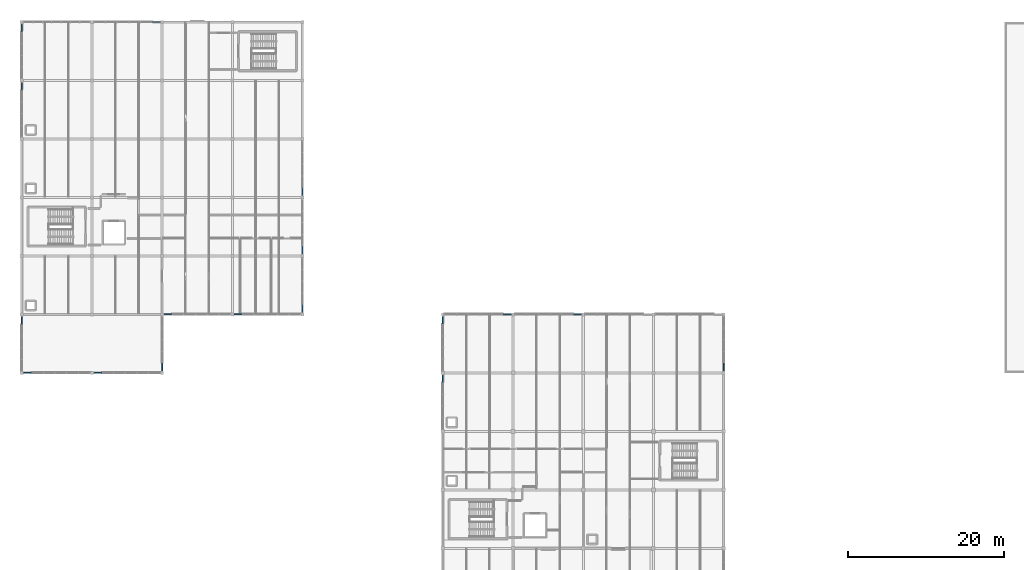
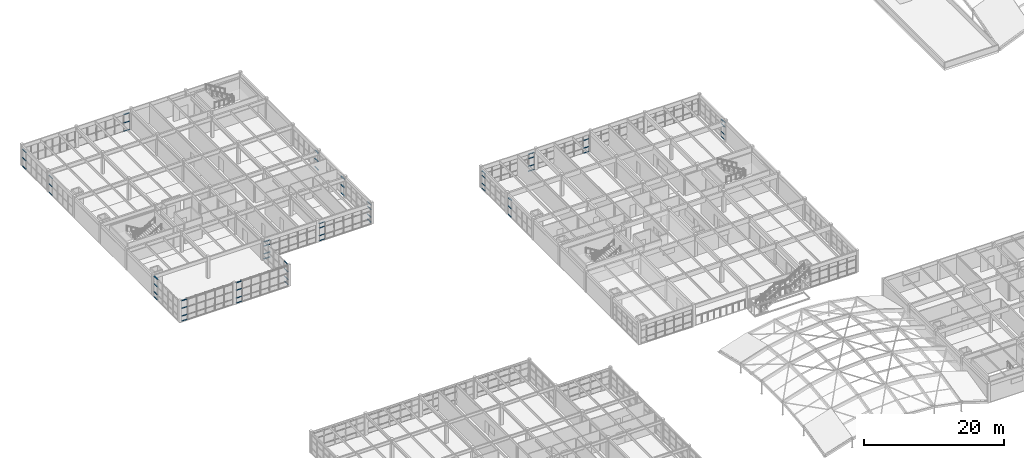
# One storey, part 48 of 81: 61 members, 17 elements without a shape of their own.
"""IFC4 building model written with IfcOpenShell, lengths in metres."""

from ifc_helpers import new_model, si_unit, direction, frame, origin, origin_2d, place, context, subcontext, project, spatial, rectangle, extrude, material, layer, layer_set, material_profile, profile_set, type_object, element, aggregate, save


model = new_model("IFC4")

# Units and contexts
model_context = context("Model", 3, precision=1e-05, world=origin(), true_north=direction((0.0, 1.0)))
body_context = subcontext(model_context, "Body", "Model", "MODEL_VIEW")
ifc_project = project(units=[si_unit("LENGTHUNIT", "METRE"), si_unit("AREAUNIT", "SQUARE_METRE"), si_unit("VOLUMEUNIT", "CUBIC_METRE"), si_unit("PLANEANGLEUNIT", "RADIAN"), si_unit("MASSUNIT", "GRAM", prefix="KILO")], contexts=[model_context])

# Site, building, storey
site_placement = place(None, origin())
site = spatial("IfcSite", under=ifc_project, at=site_placement, CompositionType="ELEMENT")
building_placement = place(site_placement, origin())
building = spatial("IfcBuilding", under=site, at=building_placement, Name="Marnridge Secondary College", CompositionType="ELEMENT")
storey_placement = place(building_placement, frame((0.0, 0.0, 8.5)))
storey = spatial("IfcBuildingStorey", under=building, at=storey_placement, Name="L02", CompositionType="ELEMENT", Elevation=8.5)

# Curtain wall, members
ifc_material_1 = material(Name="Thermally broken aluminium and low-E glazing", Category="aluminium")
ifc_layer = layer(ifc_material_1, 0.159912109375)
ifc_layer_set = layer_set([ifc_layer], Name="CW-MOD-1500")
curtain_wall_type = type_object("IfcCurtainWallType", Name="CW-MOD-1500", PredefinedType="NOTDEFINED", material=ifc_layer_set)
curtain_wall_1_placement = place(storey_placement, origin())
curtain_wall_1 = element("IfcCurtainWall", 1, at=curtain_wall_1_placement, inside=storey, type_object=curtain_wall_type, Name="Unitised curtain wall CW-L02-073", PredefinedType="NOTDEFINED")
ifc_material_2 = material(Name="Anodised aluminium 6063-T6", Category="aluminium")
ifc_material_profile = material_profile(ifc_material_2, rectangle(XDim=0.06005859375, YDim=0.1201171875, at=origin_2d()), Name="ALU 60x120")
ifc_profile_set = profile_set([ifc_material_profile], Name="Anodised aluminium 6063-T6")
member_type = type_object("IfcMemberType", Name="CWT-ALU120", PredefinedType="USERDEFINED", material=ifc_profile_set)
member_1_placement = place(storey_placement, frame((61.763916015625, 82.5, 0.030029296875), z_axis=(1.0, 0.0, 0.0), x_axis=(0.0, 0.0, 1.0)))
member_1 = element("IfcMember", 2, at=member_1_placement, type_object=member_type, Name="CW-L02-073 transom 6.1", ObjectType="TRANSOM", PredefinedType="USERDEFINED", context=body_context, shape_type="SweptSolid", body=[
    extrude(rectangle(XDim=0.06005859375, YDim=0.1201171875, at=origin_2d()), origin(), (0.0, 0.0, 1.0), 0.97216796875),
])
member_2_placement = place(storey_placement, frame((61.763916015625, 82.5, 0.89990234375), z_axis=(1.0, 0.0, 0.0), x_axis=(0.0, 0.0, 1.0)))
member_2 = element("IfcMember", 3, at=member_2_placement, type_object=member_type, Name="CW-L02-073 transom 6.2", ObjectType="TRANSOM", PredefinedType="USERDEFINED", context=body_context, shape_type="SweptSolid", body=[
    extrude(rectangle(XDim=0.06005859375, YDim=0.1201171875, at=origin_2d()), origin(), (0.0, 0.0, 1.0), 0.97216796875),
])
member_3_placement = place(storey_placement, frame((61.763916015625, 82.5, 2.25), z_axis=(1.0, 0.0, 0.0), x_axis=(0.0, 0.0, 1.0)))
member_3 = element("IfcMember", 4, at=member_3_placement, type_object=member_type, Name="CW-L02-073 transom 6.3", ObjectType="TRANSOM", PredefinedType="USERDEFINED", context=body_context, shape_type="SweptSolid", body=[
    extrude(rectangle(XDim=0.06005859375, YDim=0.1201171875, at=origin_2d()), origin(), (0.0, 0.0, 1.0), 0.97216796875),
])
member_4_placement = place(storey_placement, frame((61.763916015625, 82.5, 3.01708984375), z_axis=(1.0, 0.0, 0.0), x_axis=(0.0, 0.0, 1.0)))
member_4 = element("IfcMember", 5, at=member_4_placement, type_object=member_type, Name="CW-L02-073 transom 6.4", ObjectType="TRANSOM", PredefinedType="USERDEFINED", context=body_context, shape_type="SweptSolid", body=[
    extrude(rectangle(XDim=0.06005859375, YDim=0.1201171875, at=origin_2d()), origin(), (0.0, 0.0, 1.0), 0.97216796875),
])
aggregate(curtain_wall_1, [member_1, member_2, member_3, member_4])

curtain_wall_2_placement = place(storey_placement, origin())
curtain_wall_2 = element("IfcCurtainWall", 6, at=curtain_wall_2_placement, inside=storey, type_object=curtain_wall_type, Name="Unitised curtain wall CW-L02-074", PredefinedType="NOTDEFINED")
member_5_placement = place(storey_placement, frame((70.763916015625, 82.5, 0.030029296875), z_axis=(1.0, 0.0, 0.0), x_axis=(0.0, 0.0, 1.0)))
member_5 = element("IfcMember", 7, at=member_5_placement, type_object=member_type, Name="CW-L02-074 transom 6.1", ObjectType="TRANSOM", PredefinedType="USERDEFINED", context=body_context, shape_type="SweptSolid", body=[
    extrude(rectangle(XDim=0.06005859375, YDim=0.1201171875, at=origin_2d()), origin(), (0.0, 0.0, 1.0), 0.97216796875),
])
member_6_placement = place(storey_placement, frame((70.763916015625, 82.5, 0.89990234375), z_axis=(1.0, 0.0, 0.0), x_axis=(0.0, 0.0, 1.0)))
member_6 = element("IfcMember", 8, at=member_6_placement, type_object=member_type, Name="CW-L02-074 transom 6.2", ObjectType="TRANSOM", PredefinedType="USERDEFINED", context=body_context, shape_type="SweptSolid", body=[
    extrude(rectangle(XDim=0.06005859375, YDim=0.1201171875, at=origin_2d()), origin(), (0.0, 0.0, 1.0), 0.97216796875),
])
member_7_placement = place(storey_placement, frame((70.763916015625, 82.5, 2.25), z_axis=(1.0, 0.0, 0.0), x_axis=(0.0, 0.0, 1.0)))
member_7 = element("IfcMember", 9, at=member_7_placement, type_object=member_type, Name="CW-L02-074 transom 6.3", ObjectType="TRANSOM", PredefinedType="USERDEFINED", context=body_context, shape_type="SweptSolid", body=[
    extrude(rectangle(XDim=0.06005859375, YDim=0.1201171875, at=origin_2d()), origin(), (0.0, 0.0, 1.0), 0.97216796875),
])
aggregate(curtain_wall_2, [member_5, member_6, member_7])

curtain_wall_3_placement = place(storey_placement, origin())
curtain_wall_3 = element("IfcCurtainWall", 10, at=curtain_wall_3_placement, inside=storey, type_object=curtain_wall_type, Name="Unitised curtain wall CW-L02-077", PredefinedType="NOTDEFINED")
member_8_placement = place(storey_placement, frame((90.0, 76.236083984375, 0.030029296875), z_axis=(0.0, -1.0, 0.0), x_axis=(0.0, 0.0, 1.0)))
member_8 = element("IfcMember", 11, at=member_8_placement, type_object=member_type, Name="CW-L02-077 transom 5.1", ObjectType="TRANSOM", PredefinedType="USERDEFINED", context=body_context, shape_type="SweptSolid", body=[
    extrude(rectangle(XDim=0.06005859375, YDim=0.1201171875, at=origin_2d()), origin(), (0.0, 0.0, 1.0), 0.97216796875),
])
member_9_placement = place(storey_placement, frame((90.0, 76.236083984375, 0.89990234375), z_axis=(0.0, -1.0, 0.0), x_axis=(0.0, 0.0, 1.0)))
member_9 = element("IfcMember", 12, at=member_9_placement, type_object=member_type, Name="CW-L02-077 transom 5.2", ObjectType="TRANSOM", PredefinedType="USERDEFINED", context=body_context, shape_type="SweptSolid", body=[
    extrude(rectangle(XDim=0.06005859375, YDim=0.1201171875, at=origin_2d()), origin(), (0.0, 0.0, 1.0), 0.97216796875),
])
member_10_placement = place(storey_placement, frame((90.0, 76.236083984375, 2.25), z_axis=(0.0, -1.0, 0.0), x_axis=(0.0, 0.0, 1.0)))
member_10 = element("IfcMember", 13, at=member_10_placement, type_object=member_type, Name="CW-L02-077 transom 5.3", ObjectType="TRANSOM", PredefinedType="USERDEFINED", context=body_context, shape_type="SweptSolid", body=[
    extrude(rectangle(XDim=0.06005859375, YDim=0.1201171875, at=origin_2d()), origin(), (0.0, 0.0, 1.0), 0.97216796875),
])
member_11_placement = place(storey_placement, frame((90.0, 76.236083984375, 3.01708984375), z_axis=(0.0, -1.0, 0.0), x_axis=(0.0, 0.0, 1.0)))
member_11 = element("IfcMember", 14, at=member_11_placement, type_object=member_type, Name="CW-L02-077 transom 5.4", ObjectType="TRANSOM", PredefinedType="USERDEFINED", context=body_context, shape_type="SweptSolid", body=[
    extrude(rectangle(XDim=0.06005859375, YDim=0.1201171875, at=origin_2d()), origin(), (0.0, 0.0, 1.0), 0.97216796875),
])
aggregate(curtain_wall_3, [member_8, member_9, member_10, member_11])

curtain_wall_4_placement = place(storey_placement, origin())
curtain_wall_4 = element("IfcCurtainWall", 15, at=curtain_wall_4_placement, inside=storey, type_object=curtain_wall_type, Name="Unitised curtain wall CW-L02-083", PredefinedType="NOTDEFINED")
member_12_placement = place(storey_placement, frame((54.0, 73.7890625, 0.030029296875), z_axis=(0.0, 1.0, 0.0), x_axis=(0.0, 0.0, 1.0)))
member_12 = element("IfcMember", 16, at=member_12_placement, type_object=member_type, Name="CW-L02-083 transom 5.1", ObjectType="TRANSOM", PredefinedType="USERDEFINED", context=body_context, shape_type="SweptSolid", body=[
    extrude(rectangle(XDim=0.06005859375, YDim=0.1201171875, at=origin_2d()), origin(), (0.0, 0.0, 1.0), 0.921875),
])
member_13_placement = place(storey_placement, frame((54.0, 73.7890625, 1.489013671875), z_axis=(0.0, 1.0, 0.0), x_axis=(0.0, 0.0, 1.0)))
member_13 = element("IfcMember", 17, at=member_13_placement, type_object=member_type, Name="CW-L02-083 transom 5.2", ObjectType="TRANSOM", PredefinedType="USERDEFINED", context=body_context, shape_type="SweptSolid", body=[
    extrude(rectangle(XDim=0.06005859375, YDim=0.1201171875, at=origin_2d()), origin(), (0.0, 0.0, 1.0), 0.921875),
])
member_14_placement = place(storey_placement, frame((54.0, 73.7890625, 2.947021484375), z_axis=(0.0, 1.0, 0.0), x_axis=(0.0, 0.0, 1.0)))
member_14 = element("IfcMember", 18, at=member_14_placement, type_object=member_type, Name="CW-L02-083 transom 5.3", ObjectType="TRANSOM", PredefinedType="USERDEFINED", context=body_context, shape_type="SweptSolid", body=[
    extrude(rectangle(XDim=0.06005859375, YDim=0.1201171875, at=origin_2d()), origin(), (0.0, 0.0, 1.0), 0.921875),
])
aggregate(curtain_wall_4, [member_12, member_13, member_14])

curtain_wall_5_placement = place(storey_placement, origin())
curtain_wall_5 = element("IfcCurtainWall", 19, at=curtain_wall_5_placement, inside=storey, type_object=curtain_wall_type, Name="Unitised curtain wall CW-L02-084", PredefinedType="NOTDEFINED")
member_15_placement = place(storey_placement, frame((54.0, 81.2890625, 0.030029296875), z_axis=(0.0, 1.0, 0.0), x_axis=(0.0, 0.0, 1.0)))
member_15 = element("IfcMember", 20, at=member_15_placement, type_object=member_type, Name="CW-L02-084 transom 5.1", ObjectType="TRANSOM", PredefinedType="USERDEFINED", context=body_context, shape_type="SweptSolid", body=[
    extrude(rectangle(XDim=0.06005859375, YDim=0.1201171875, at=origin_2d()), origin(), (0.0, 0.0, 1.0), 0.947021484375),
])
member_16_placement = place(storey_placement, frame((54.0, 81.2890625, 0.89990234375), z_axis=(0.0, 1.0, 0.0), x_axis=(0.0, 0.0, 1.0)))
member_16 = element("IfcMember", 21, at=member_16_placement, type_object=member_type, Name="CW-L02-084 transom 5.2", ObjectType="TRANSOM", PredefinedType="USERDEFINED", context=body_context, shape_type="SweptSolid", body=[
    extrude(rectangle(XDim=0.06005859375, YDim=0.1201171875, at=origin_2d()), origin(), (0.0, 0.0, 1.0), 0.947021484375),
])
member_17_placement = place(storey_placement, frame((54.0, 81.2890625, 2.25), z_axis=(0.0, 1.0, 0.0), x_axis=(0.0, 0.0, 1.0)))
member_17 = element("IfcMember", 22, at=member_17_placement, type_object=member_type, Name="CW-L02-084 transom 5.3", ObjectType="TRANSOM", PredefinedType="USERDEFINED", context=body_context, shape_type="SweptSolid", body=[
    extrude(rectangle(XDim=0.06005859375, YDim=0.1201171875, at=origin_2d()), origin(), (0.0, 0.0, 1.0), 0.947021484375),
])
member_18_placement = place(storey_placement, frame((54.0, 81.2890625, 3.01708984375), z_axis=(0.0, 1.0, 0.0), x_axis=(0.0, 0.0, 1.0)))
member_18 = element("IfcMember", 23, at=member_18_placement, type_object=member_type, Name="CW-L02-084 transom 5.4", ObjectType="TRANSOM", PredefinedType="USERDEFINED", context=body_context, shape_type="SweptSolid", body=[
    extrude(rectangle(XDim=0.06005859375, YDim=0.1201171875, at=origin_2d()), origin(), (0.0, 0.0, 1.0), 0.947021484375),
])
aggregate(curtain_wall_5, [member_15, member_16, member_17, member_18])

curtain_wall_6_placement = place(storey_placement, origin())
curtain_wall_6 = element("IfcCurtainWall", 24, at=curtain_wall_6_placement, inside=storey, type_object=curtain_wall_type, Name="Unitised curtain wall CW-L02-088", PredefinedType="NOTDEFINED")
member_19_placement = place(storey_placement, frame((16.763916015625, 120.0, 0.030029296875), z_axis=(1.0, 0.0, 0.0), x_axis=(0.0, 0.0, 1.0)))
member_19 = element("IfcMember", 25, at=member_19_placement, type_object=member_type, Name="CW-L02-088 transom 6.1", ObjectType="TRANSOM", PredefinedType="USERDEFINED", context=body_context, shape_type="SweptSolid", body=[
    extrude(rectangle(XDim=0.06005859375, YDim=0.1201171875, at=origin_2d()), origin(), (0.0, 0.0, 1.0), 0.97216796875),
])
member_20_placement = place(storey_placement, frame((16.763916015625, 120.0, 1.493896484375), z_axis=(1.0, 0.0, 0.0), x_axis=(0.0, 0.0, 1.0)))
member_20 = element("IfcMember", 26, at=member_20_placement, type_object=member_type, Name="CW-L02-088 transom 6.2", ObjectType="TRANSOM", PredefinedType="USERDEFINED", context=body_context, shape_type="SweptSolid", body=[
    extrude(rectangle(XDim=0.06005859375, YDim=0.1201171875, at=origin_2d()), origin(), (0.0, 0.0, 1.0), 0.97216796875),
])
member_21_placement = place(storey_placement, frame((16.763916015625, 120.0, 2.95703125), z_axis=(1.0, 0.0, 0.0), x_axis=(0.0, 0.0, 1.0)))
member_21 = element("IfcMember", 27, at=member_21_placement, type_object=member_type, Name="CW-L02-088 transom 6.3", ObjectType="TRANSOM", PredefinedType="USERDEFINED", context=body_context, shape_type="SweptSolid", body=[
    extrude(rectangle(XDim=0.06005859375, YDim=0.1201171875, at=origin_2d()), origin(), (0.0, 0.0, 1.0), 0.97216796875),
])
aggregate(curtain_wall_6, [member_19, member_20, member_21])

curtain_wall_7_placement = place(storey_placement, origin())
curtain_wall_7 = element("IfcCurtainWall", 28, at=curtain_wall_7_placement, inside=storey, type_object=curtain_wall_type, Name="Unitised curtain wall CW-L02-089", PredefinedType="NOTDEFINED")
member_22_placement = place(storey_placement, frame((36.0, 98.736083984375, 0.030029296875), z_axis=(0.0, -1.0, 0.0), x_axis=(0.0, 0.0, 1.0)))
member_22 = element("IfcMember", 29, at=member_22_placement, type_object=member_type, Name="CW-L02-089 transom 5.1", ObjectType="TRANSOM", PredefinedType="USERDEFINED", context=body_context, shape_type="SweptSolid", body=[
    extrude(rectangle(XDim=0.06005859375, YDim=0.1201171875, at=origin_2d()), origin(), (0.0, 0.0, 1.0), 0.97216796875),
])
member_23_placement = place(storey_placement, frame((36.0, 98.736083984375, 1.493896484375), z_axis=(0.0, -1.0, 0.0), x_axis=(0.0, 0.0, 1.0)))
member_23 = element("IfcMember", 30, at=member_23_placement, type_object=member_type, Name="CW-L02-089 transom 5.2", ObjectType="TRANSOM", PredefinedType="USERDEFINED", context=body_context, shape_type="SweptSolid", body=[
    extrude(rectangle(XDim=0.06005859375, YDim=0.1201171875, at=origin_2d()), origin(), (0.0, 0.0, 1.0), 0.97216796875),
])
member_24_placement = place(storey_placement, frame((36.0, 98.736083984375, 2.95703125), z_axis=(0.0, -1.0, 0.0), x_axis=(0.0, 0.0, 1.0)))
member_24 = element("IfcMember", 31, at=member_24_placement, type_object=member_type, Name="CW-L02-089 transom 5.3", ObjectType="TRANSOM", PredefinedType="USERDEFINED", context=body_context, shape_type="SweptSolid", body=[
    extrude(rectangle(XDim=0.06005859375, YDim=0.1201171875, at=origin_2d()), origin(), (0.0, 0.0, 1.0), 0.97216796875),
])
aggregate(curtain_wall_7, [member_22, member_23, member_24])

curtain_wall_8_placement = place(storey_placement, origin())
curtain_wall_8 = element("IfcCurtainWall", 32, at=curtain_wall_8_placement, inside=storey, type_object=curtain_wall_type, Name="Unitised curtain wall CW-L02-090", PredefinedType="NOTDEFINED")
member_25_placement = place(storey_placement, frame((36.0, 91.236083984375, 0.030029296875), z_axis=(0.0, -1.0, 0.0), x_axis=(0.0, 0.0, 1.0)))
member_25 = element("IfcMember", 33, at=member_25_placement, type_object=member_type, Name="CW-L02-090 transom 5.1", ObjectType="TRANSOM", PredefinedType="USERDEFINED", context=body_context, shape_type="SweptSolid", body=[
    extrude(rectangle(XDim=0.06005859375, YDim=0.1201171875, at=origin_2d()), origin(), (0.0, 0.0, 1.0), 0.97216796875),
])
member_26_placement = place(storey_placement, frame((36.0, 91.236083984375, 1.493896484375), z_axis=(0.0, -1.0, 0.0), x_axis=(0.0, 0.0, 1.0)))
member_26 = element("IfcMember", 34, at=member_26_placement, type_object=member_type, Name="CW-L02-090 transom 5.2", ObjectType="TRANSOM", PredefinedType="USERDEFINED", context=body_context, shape_type="SweptSolid", body=[
    extrude(rectangle(XDim=0.06005859375, YDim=0.1201171875, at=origin_2d()), origin(), (0.0, 0.0, 1.0), 0.97216796875),
])
member_27_placement = place(storey_placement, frame((36.0, 91.236083984375, 2.95703125), z_axis=(0.0, -1.0, 0.0), x_axis=(0.0, 0.0, 1.0)))
member_27 = element("IfcMember", 35, at=member_27_placement, type_object=member_type, Name="CW-L02-090 transom 5.3", ObjectType="TRANSOM", PredefinedType="USERDEFINED", context=body_context, shape_type="SweptSolid", body=[
    extrude(rectangle(XDim=0.06005859375, YDim=0.1201171875, at=origin_2d()), origin(), (0.0, 0.0, 1.0), 0.97216796875),
])
aggregate(curtain_wall_8, [member_25, member_26, member_27])

curtain_wall_9_placement = place(storey_placement, origin())
curtain_wall_9 = element("IfcCurtainWall", 36, at=curtain_wall_9_placement, inside=storey, type_object=curtain_wall_type, Name="Unitised curtain wall CW-L02-091", PredefinedType="NOTDEFINED")
member_28_placement = place(storey_placement, frame((36.0, 83.736083984375, 0.030029296875), z_axis=(0.0, -1.0, 0.0), x_axis=(0.0, 0.0, 1.0)))
member_28 = element("IfcMember", 37, at=member_28_placement, type_object=member_type, Name="CW-L02-091 transom 5.1", ObjectType="TRANSOM", PredefinedType="USERDEFINED", context=body_context, shape_type="SweptSolid", body=[
    extrude(rectangle(XDim=0.06005859375, YDim=0.1201171875, at=origin_2d()), origin(), (0.0, 0.0, 1.0), 0.97216796875),
])
member_29_placement = place(storey_placement, frame((36.0, 83.736083984375, 0.89990234375), z_axis=(0.0, -1.0, 0.0), x_axis=(0.0, 0.0, 1.0)))
member_29 = element("IfcMember", 38, at=member_29_placement, type_object=member_type, Name="CW-L02-091 transom 5.2", ObjectType="TRANSOM", PredefinedType="USERDEFINED", context=body_context, shape_type="SweptSolid", body=[
    extrude(rectangle(XDim=0.06005859375, YDim=0.1201171875, at=origin_2d()), origin(), (0.0, 0.0, 1.0), 0.97216796875),
])
member_30_placement = place(storey_placement, frame((36.0, 83.736083984375, 2.25), z_axis=(0.0, -1.0, 0.0), x_axis=(0.0, 0.0, 1.0)))
member_30 = element("IfcMember", 39, at=member_30_placement, type_object=member_type, Name="CW-L02-091 transom 5.3", ObjectType="TRANSOM", PredefinedType="USERDEFINED", context=body_context, shape_type="SweptSolid", body=[
    extrude(rectangle(XDim=0.06005859375, YDim=0.1201171875, at=origin_2d()), origin(), (0.0, 0.0, 1.0), 0.97216796875),
])
member_31_placement = place(storey_placement, frame((36.0, 83.736083984375, 3.01708984375), z_axis=(0.0, -1.0, 0.0), x_axis=(0.0, 0.0, 1.0)))
member_31 = element("IfcMember", 40, at=member_31_placement, type_object=member_type, Name="CW-L02-091 transom 5.4", ObjectType="TRANSOM", PredefinedType="USERDEFINED", context=body_context, shape_type="SweptSolid", body=[
    extrude(rectangle(XDim=0.06005859375, YDim=0.1201171875, at=origin_2d()), origin(), (0.0, 0.0, 1.0), 0.97216796875),
])
aggregate(curtain_wall_9, [member_28, member_29, member_30, member_31])

curtain_wall_10_placement = place(storey_placement, origin())
curtain_wall_10 = element("IfcCurtainWall", 41, at=curtain_wall_10_placement, inside=storey, type_object=curtain_wall_type, Name="Unitised curtain wall CW-L02-092", PredefinedType="NOTDEFINED")
member_32_placement = place(storey_placement, frame((28.236083984375, 82.5, 0.030029296875), z_axis=(-1.0, 0.0, 0.0), x_axis=(0.0, 0.0, 1.0)))
member_32 = element("IfcMember", 42, at=member_32_placement, type_object=member_type, Name="CW-L02-092 transom 6.1", ObjectType="TRANSOM", PredefinedType="USERDEFINED", context=body_context, shape_type="SweptSolid", body=[
    extrude(rectangle(XDim=0.06005859375, YDim=0.1201171875, at=origin_2d()), origin(), (0.0, 0.0, 1.0), 0.97216796875),
])
member_33_placement = place(storey_placement, frame((28.236083984375, 82.5, 0.89990234375), z_axis=(-1.0, 0.0, 0.0), x_axis=(0.0, 0.0, 1.0)))
member_33 = element("IfcMember", 43, at=member_33_placement, type_object=member_type, Name="CW-L02-092 transom 6.2", ObjectType="TRANSOM", PredefinedType="USERDEFINED", context=body_context, shape_type="SweptSolid", body=[
    extrude(rectangle(XDim=0.06005859375, YDim=0.1201171875, at=origin_2d()), origin(), (0.0, 0.0, 1.0), 0.97216796875),
])
member_34_placement = place(storey_placement, frame((28.236083984375, 82.5, 2.25), z_axis=(-1.0, 0.0, 0.0), x_axis=(0.0, 0.0, 1.0)))
member_34 = element("IfcMember", 44, at=member_34_placement, type_object=member_type, Name="CW-L02-092 transom 6.3", ObjectType="TRANSOM", PredefinedType="USERDEFINED", context=body_context, shape_type="SweptSolid", body=[
    extrude(rectangle(XDim=0.06005859375, YDim=0.1201171875, at=origin_2d()), origin(), (0.0, 0.0, 1.0), 0.97216796875),
])
member_35_placement = place(storey_placement, frame((28.236083984375, 82.5, 3.01708984375), z_axis=(-1.0, 0.0, 0.0), x_axis=(0.0, 0.0, 1.0)))
member_35 = element("IfcMember", 45, at=member_35_placement, type_object=member_type, Name="CW-L02-092 transom 6.4", ObjectType="TRANSOM", PredefinedType="USERDEFINED", context=body_context, shape_type="SweptSolid", body=[
    extrude(rectangle(XDim=0.06005859375, YDim=0.1201171875, at=origin_2d()), origin(), (0.0, 0.0, 1.0), 0.97216796875),
])
aggregate(curtain_wall_10, [member_32, member_33, member_34, member_35])

curtain_wall_11_placement = place(storey_placement, origin())
curtain_wall_11 = element("IfcCurtainWall", 46, at=curtain_wall_11_placement, inside=storey, type_object=curtain_wall_type, Name="Unitised curtain wall CW-L02-093", PredefinedType="NOTDEFINED")
member_36_placement = place(storey_placement, frame((19.236083984375, 82.5, 0.030029296875), z_axis=(-1.0, 0.0, 0.0), x_axis=(0.0, 0.0, 1.0)))
member_36 = element("IfcMember", 47, at=member_36_placement, type_object=member_type, Name="CW-L02-093 transom 6.1", ObjectType="TRANSOM", PredefinedType="USERDEFINED", context=body_context, shape_type="SweptSolid", body=[
    extrude(rectangle(XDim=0.06005859375, YDim=0.1201171875, at=origin_2d()), origin(), (0.0, 0.0, 1.0), 0.97216796875),
])
member_37_placement = place(storey_placement, frame((19.236083984375, 82.5, 0.89990234375), z_axis=(-1.0, 0.0, 0.0), x_axis=(0.0, 0.0, 1.0)))
member_37 = element("IfcMember", 48, at=member_37_placement, type_object=member_type, Name="CW-L02-093 transom 6.2", ObjectType="TRANSOM", PredefinedType="USERDEFINED", context=body_context, shape_type="SweptSolid", body=[
    extrude(rectangle(XDim=0.06005859375, YDim=0.1201171875, at=origin_2d()), origin(), (0.0, 0.0, 1.0), 0.97216796875),
])
member_38_placement = place(storey_placement, frame((19.236083984375, 82.5, 2.25), z_axis=(-1.0, 0.0, 0.0), x_axis=(0.0, 0.0, 1.0)))
member_38 = element("IfcMember", 49, at=member_38_placement, type_object=member_type, Name="CW-L02-093 transom 6.3", ObjectType="TRANSOM", PredefinedType="USERDEFINED", context=body_context, shape_type="SweptSolid", body=[
    extrude(rectangle(XDim=0.06005859375, YDim=0.1201171875, at=origin_2d()), origin(), (0.0, 0.0, 1.0), 0.97216796875),
])
member_39_placement = place(storey_placement, frame((19.236083984375, 82.5, 3.01708984375), z_axis=(-1.0, 0.0, 0.0), x_axis=(0.0, 0.0, 1.0)))
member_39 = element("IfcMember", 50, at=member_39_placement, type_object=member_type, Name="CW-L02-093 transom 6.4", ObjectType="TRANSOM", PredefinedType="USERDEFINED", context=body_context, shape_type="SweptSolid", body=[
    extrude(rectangle(XDim=0.06005859375, YDim=0.1201171875, at=origin_2d()), origin(), (0.0, 0.0, 1.0), 0.97216796875),
])
aggregate(curtain_wall_11, [member_36, member_37, member_38, member_39])

curtain_wall_12_placement = place(storey_placement, origin())
curtain_wall_12 = element("IfcCurtainWall", 51, at=curtain_wall_12_placement, inside=storey, type_object=curtain_wall_type, Name="Unitised curtain wall CW-L02-094", PredefinedType="NOTDEFINED")
member_40_placement = place(storey_placement, frame((18.0, 76.236083984375, 0.030029296875), z_axis=(0.0, -1.0, 0.0), x_axis=(0.0, 0.0, 1.0)))
member_40 = element("IfcMember", 52, at=member_40_placement, type_object=member_type, Name="CW-L02-094 transom 5.1", ObjectType="TRANSOM", PredefinedType="USERDEFINED", context=body_context, shape_type="SweptSolid", body=[
    extrude(rectangle(XDim=0.06005859375, YDim=0.1201171875, at=origin_2d()), origin(), (0.0, 0.0, 1.0), 0.97216796875),
])
member_41_placement = place(storey_placement, frame((18.0, 76.236083984375, 0.89990234375), z_axis=(0.0, -1.0, 0.0), x_axis=(0.0, 0.0, 1.0)))
member_41 = element("IfcMember", 53, at=member_41_placement, type_object=member_type, Name="CW-L02-094 transom 5.2", ObjectType="TRANSOM", PredefinedType="USERDEFINED", context=body_context, shape_type="SweptSolid", body=[
    extrude(rectangle(XDim=0.06005859375, YDim=0.1201171875, at=origin_2d()), origin(), (0.0, 0.0, 1.0), 0.97216796875),
])
member_42_placement = place(storey_placement, frame((18.0, 76.236083984375, 2.25), z_axis=(0.0, -1.0, 0.0), x_axis=(0.0, 0.0, 1.0)))
member_42 = element("IfcMember", 54, at=member_42_placement, type_object=member_type, Name="CW-L02-094 transom 5.3", ObjectType="TRANSOM", PredefinedType="USERDEFINED", context=body_context, shape_type="SweptSolid", body=[
    extrude(rectangle(XDim=0.06005859375, YDim=0.1201171875, at=origin_2d()), origin(), (0.0, 0.0, 1.0), 0.97216796875),
])
member_43_placement = place(storey_placement, frame((18.0, 76.236083984375, 3.550048828125), z_axis=(0.0, -1.0, 0.0), x_axis=(0.0, 0.0, 1.0)))
member_43 = element("IfcMember", 55, at=member_43_placement, type_object=member_type, Name="CW-L02-094 transom 5.4", ObjectType="TRANSOM", PredefinedType="USERDEFINED", context=body_context, shape_type="SweptSolid", body=[
    extrude(rectangle(XDim=0.06005859375, YDim=0.1201171875, at=origin_2d()), origin(), (0.0, 0.0, 1.0), 0.97216796875),
])
aggregate(curtain_wall_12, [member_40, member_41, member_42, member_43])

curtain_wall_13_placement = place(storey_placement, origin())
curtain_wall_13 = element("IfcCurtainWall", 56, at=curtain_wall_13_placement, inside=storey, type_object=curtain_wall_type, Name="Unitised curtain wall CW-L02-095", PredefinedType="NOTDEFINED")
member_44_placement = place(storey_placement, frame((10.236083984375, 75.0, 0.030029296875), z_axis=(-1.0, 0.0, 0.0), x_axis=(0.0, 0.0, 1.0)))
member_44 = element("IfcMember", 57, at=member_44_placement, type_object=member_type, Name="CW-L02-095 transom 6.1", ObjectType="TRANSOM", PredefinedType="USERDEFINED", context=body_context, shape_type="SweptSolid", body=[
    extrude(rectangle(XDim=0.06005859375, YDim=0.1201171875, at=origin_2d()), origin(), (0.0, 0.0, 1.0), 0.97216796875),
])
member_45_placement = place(storey_placement, frame((10.236083984375, 75.0, 0.89990234375), z_axis=(-1.0, 0.0, 0.0), x_axis=(0.0, 0.0, 1.0)))
member_45 = element("IfcMember", 58, at=member_45_placement, type_object=member_type, Name="CW-L02-095 transom 6.2", ObjectType="TRANSOM", PredefinedType="USERDEFINED", context=body_context, shape_type="SweptSolid", body=[
    extrude(rectangle(XDim=0.06005859375, YDim=0.1201171875, at=origin_2d()), origin(), (0.0, 0.0, 1.0), 0.97216796875),
])
member_46_placement = place(storey_placement, frame((10.236083984375, 75.0, 2.25), z_axis=(-1.0, 0.0, 0.0), x_axis=(0.0, 0.0, 1.0)))
member_46 = element("IfcMember", 59, at=member_46_placement, type_object=member_type, Name="CW-L02-095 transom 6.3", ObjectType="TRANSOM", PredefinedType="USERDEFINED", context=body_context, shape_type="SweptSolid", body=[
    extrude(rectangle(XDim=0.06005859375, YDim=0.1201171875, at=origin_2d()), origin(), (0.0, 0.0, 1.0), 0.97216796875),
])
member_47_placement = place(storey_placement, frame((10.236083984375, 75.0, 3.550048828125), z_axis=(-1.0, 0.0, 0.0), x_axis=(0.0, 0.0, 1.0)))
member_47 = element("IfcMember", 60, at=member_47_placement, type_object=member_type, Name="CW-L02-095 transom 6.4", ObjectType="TRANSOM", PredefinedType="USERDEFINED", context=body_context, shape_type="SweptSolid", body=[
    extrude(rectangle(XDim=0.06005859375, YDim=0.1201171875, at=origin_2d()), origin(), (0.0, 0.0, 1.0), 0.97216796875),
])
aggregate(curtain_wall_13, [member_44, member_45, member_46, member_47])

curtain_wall_14_placement = place(storey_placement, origin())
curtain_wall_14 = element("IfcCurtainWall", 61, at=curtain_wall_14_placement, inside=storey, type_object=curtain_wall_type, Name="Unitised curtain wall CW-L02-096", PredefinedType="NOTDEFINED")
member_48_placement = place(storey_placement, frame((1.236083984375, 75.0, 0.030029296875), z_axis=(-1.0, 0.0, 0.0), x_axis=(0.0, 0.0, 1.0)))
member_48 = element("IfcMember", 62, at=member_48_placement, type_object=member_type, Name="CW-L02-096 transom 6.1", ObjectType="TRANSOM", PredefinedType="USERDEFINED", context=body_context, shape_type="SweptSolid", body=[
    extrude(rectangle(XDim=0.06005859375, YDim=0.1201171875, at=origin_2d()), origin(), (0.0, 0.0, 1.0), 0.97216796875),
])
member_49_placement = place(storey_placement, frame((1.236083984375, 75.0, 0.89990234375), z_axis=(-1.0, 0.0, 0.0), x_axis=(0.0, 0.0, 1.0)))
member_49 = element("IfcMember", 63, at=member_49_placement, type_object=member_type, Name="CW-L02-096 transom 6.2", ObjectType="TRANSOM", PredefinedType="USERDEFINED", context=body_context, shape_type="SweptSolid", body=[
    extrude(rectangle(XDim=0.06005859375, YDim=0.1201171875, at=origin_2d()), origin(), (0.0, 0.0, 1.0), 0.97216796875),
])
member_50_placement = place(storey_placement, frame((1.236083984375, 75.0, 2.25), z_axis=(-1.0, 0.0, 0.0), x_axis=(0.0, 0.0, 1.0)))
member_50 = element("IfcMember", 64, at=member_50_placement, type_object=member_type, Name="CW-L02-096 transom 6.3", ObjectType="TRANSOM", PredefinedType="USERDEFINED", context=body_context, shape_type="SweptSolid", body=[
    extrude(rectangle(XDim=0.06005859375, YDim=0.1201171875, at=origin_2d()), origin(), (0.0, 0.0, 1.0), 0.97216796875),
])
member_51_placement = place(storey_placement, frame((1.236083984375, 75.0, 3.550048828125), z_axis=(-1.0, 0.0, 0.0), x_axis=(0.0, 0.0, 1.0)))
member_51 = element("IfcMember", 65, at=member_51_placement, type_object=member_type, Name="CW-L02-096 transom 6.4", ObjectType="TRANSOM", PredefinedType="USERDEFINED", context=body_context, shape_type="SweptSolid", body=[
    extrude(rectangle(XDim=0.06005859375, YDim=0.1201171875, at=origin_2d()), origin(), (0.0, 0.0, 1.0), 0.97216796875),
])
aggregate(curtain_wall_14, [member_48, member_49, member_50, member_51])

curtain_wall_15_placement = place(storey_placement, origin())
curtain_wall_15 = element("IfcCurtainWall", 66, at=curtain_wall_15_placement, inside=storey, type_object=curtain_wall_type, Name="Unitised curtain wall CW-L02-097", PredefinedType="NOTDEFINED")
member_52_placement = place(storey_placement, frame((0.0, 81.263916015625, 0.030029296875), z_axis=(0.0, 1.0, 0.0), x_axis=(0.0, 0.0, 1.0)))
member_52 = element("IfcMember", 67, at=member_52_placement, type_object=member_type, Name="CW-L02-097 transom 5.1", ObjectType="TRANSOM", PredefinedType="USERDEFINED", context=body_context, shape_type="SweptSolid", body=[
    extrude(rectangle(XDim=0.06005859375, YDim=0.1201171875, at=origin_2d()), origin(), (0.0, 0.0, 1.0), 0.97216796875),
])
member_53_placement = place(storey_placement, frame((0.0, 81.263916015625, 0.89990234375), z_axis=(0.0, 1.0, 0.0), x_axis=(0.0, 0.0, 1.0)))
member_53 = element("IfcMember", 68, at=member_53_placement, type_object=member_type, Name="CW-L02-097 transom 5.2", ObjectType="TRANSOM", PredefinedType="USERDEFINED", context=body_context, shape_type="SweptSolid", body=[
    extrude(rectangle(XDim=0.06005859375, YDim=0.1201171875, at=origin_2d()), origin(), (0.0, 0.0, 1.0), 0.97216796875),
])
member_54_placement = place(storey_placement, frame((0.0, 81.263916015625, 2.25), z_axis=(0.0, 1.0, 0.0), x_axis=(0.0, 0.0, 1.0)))
member_54 = element("IfcMember", 69, at=member_54_placement, type_object=member_type, Name="CW-L02-097 transom 5.3", ObjectType="TRANSOM", PredefinedType="USERDEFINED", context=body_context, shape_type="SweptSolid", body=[
    extrude(rectangle(XDim=0.06005859375, YDim=0.1201171875, at=origin_2d()), origin(), (0.0, 0.0, 1.0), 0.97216796875),
])
member_55_placement = place(storey_placement, frame((0.0, 81.263916015625, 3.550048828125), z_axis=(0.0, 1.0, 0.0), x_axis=(0.0, 0.0, 1.0)))
member_55 = element("IfcMember", 70, at=member_55_placement, type_object=member_type, Name="CW-L02-097 transom 5.4", ObjectType="TRANSOM", PredefinedType="USERDEFINED", context=body_context, shape_type="SweptSolid", body=[
    extrude(rectangle(XDim=0.06005859375, YDim=0.1201171875, at=origin_2d()), origin(), (0.0, 0.0, 1.0), 0.97216796875),
])
aggregate(curtain_wall_15, [member_52, member_53, member_54, member_55])

curtain_wall_16_placement = place(storey_placement, origin())
curtain_wall_16 = element("IfcCurtainWall", 71, at=curtain_wall_16_placement, inside=storey, type_object=curtain_wall_type, Name="Unitised curtain wall CW-L02-098", PredefinedType="NOTDEFINED")
member_56_placement = place(storey_placement, frame((0.0, 111.263916015625, 0.030029296875), z_axis=(0.0, 1.0, 0.0), x_axis=(0.0, 0.0, 1.0)))
member_56 = element("IfcMember", 72, at=member_56_placement, type_object=member_type, Name="CW-L02-098 transom 5.1", ObjectType="TRANSOM", PredefinedType="USERDEFINED", context=body_context, shape_type="SweptSolid", body=[
    extrude(rectangle(XDim=0.06005859375, YDim=0.1201171875, at=origin_2d()), origin(), (0.0, 0.0, 1.0), 0.97216796875),
])
member_57_placement = place(storey_placement, frame((0.0, 111.263916015625, 1.493896484375), z_axis=(0.0, 1.0, 0.0), x_axis=(0.0, 0.0, 1.0)))
member_57 = element("IfcMember", 73, at=member_57_placement, type_object=member_type, Name="CW-L02-098 transom 5.2", ObjectType="TRANSOM", PredefinedType="USERDEFINED", context=body_context, shape_type="SweptSolid", body=[
    extrude(rectangle(XDim=0.06005859375, YDim=0.1201171875, at=origin_2d()), origin(), (0.0, 0.0, 1.0), 0.97216796875),
])
member_58_placement = place(storey_placement, frame((0.0, 111.263916015625, 2.95703125), z_axis=(0.0, 1.0, 0.0), x_axis=(0.0, 0.0, 1.0)))
member_58 = element("IfcMember", 74, at=member_58_placement, type_object=member_type, Name="CW-L02-098 transom 5.3", ObjectType="TRANSOM", PredefinedType="USERDEFINED", context=body_context, shape_type="SweptSolid", body=[
    extrude(rectangle(XDim=0.06005859375, YDim=0.1201171875, at=origin_2d()), origin(), (0.0, 0.0, 1.0), 0.97216796875),
])
aggregate(curtain_wall_16, [member_56, member_57, member_58])

curtain_wall_17_placement = place(storey_placement, origin())
curtain_wall_17 = element("IfcCurtainWall", 75, at=curtain_wall_17_placement, inside=storey, type_object=curtain_wall_type, Name="Unitised curtain wall CW-L02-099", PredefinedType="NOTDEFINED")
member_59_placement = place(storey_placement, frame((0.0, 118.763916015625, 0.030029296875), z_axis=(0.0, 1.0, 0.0), x_axis=(0.0, 0.0, 1.0)))
member_59 = element("IfcMember", 76, at=member_59_placement, type_object=member_type, Name="CW-L02-099 transom 5.1", ObjectType="TRANSOM", PredefinedType="USERDEFINED", context=body_context, shape_type="SweptSolid", body=[
    extrude(rectangle(XDim=0.06005859375, YDim=0.1201171875, at=origin_2d()), origin(), (0.0, 0.0, 1.0), 0.97216796875),
])
member_60_placement = place(storey_placement, frame((0.0, 118.763916015625, 1.493896484375), z_axis=(0.0, 1.0, 0.0), x_axis=(0.0, 0.0, 1.0)))
member_60 = element("IfcMember", 77, at=member_60_placement, type_object=member_type, Name="CW-L02-099 transom 5.2", ObjectType="TRANSOM", PredefinedType="USERDEFINED", context=body_context, shape_type="SweptSolid", body=[
    extrude(rectangle(XDim=0.06005859375, YDim=0.1201171875, at=origin_2d()), origin(), (0.0, 0.0, 1.0), 0.97216796875),
])
member_61_placement = place(storey_placement, frame((0.0, 118.763916015625, 2.95703125), z_axis=(0.0, 1.0, 0.0), x_axis=(0.0, 0.0, 1.0)))
member_61 = element("IfcMember", 78, at=member_61_placement, type_object=member_type, Name="CW-L02-099 transom 5.3", ObjectType="TRANSOM", PredefinedType="USERDEFINED", context=body_context, shape_type="SweptSolid", body=[
    extrude(rectangle(XDim=0.06005859375, YDim=0.1201171875, at=origin_2d()), origin(), (0.0, 0.0, 1.0), 0.97216796875),
])
aggregate(curtain_wall_17, [member_59, member_60, member_61])

save(model, "model.ifc")
